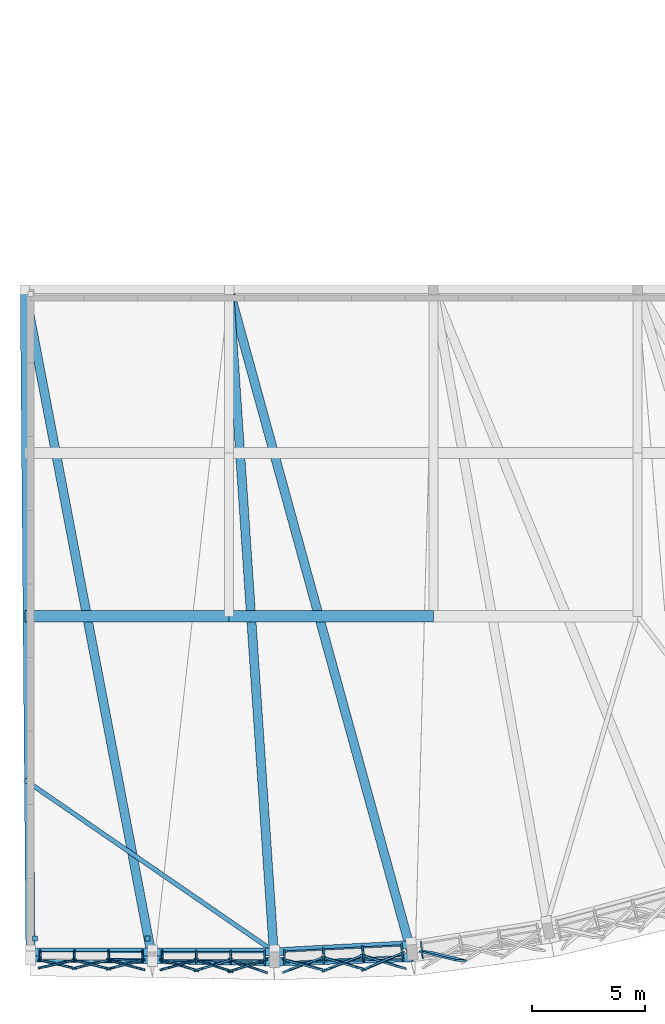
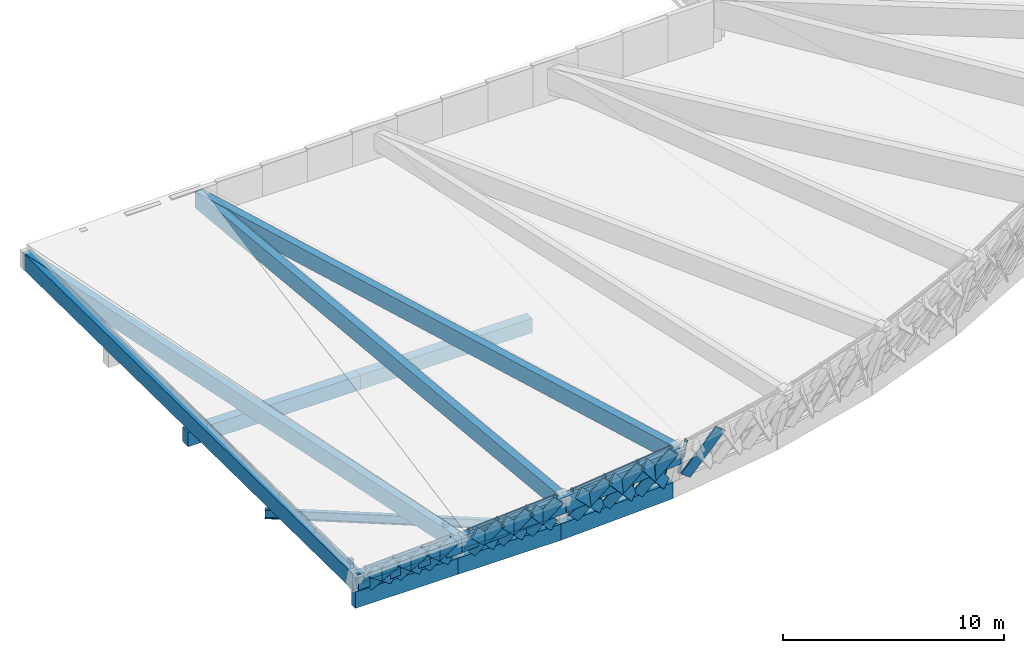
# One storey, part 2 of 11: 43 members, 13 beams, 4 elements without a shape of their own.
"""IFC4 building model written with IfcOpenShell, lengths in metres."""

from ifc_helpers import new_model, si_unit, direction, frame, origin, origin_2d, place, context, subcontext, project, spatial, rectangle, hollow_rectangle, i_section, extrude, material, material_profile, profile_set, type_object, element, aggregate, save


model = new_model("IFC4")

# Units and contexts
model_context = context("Model", 3, precision=1e-05, world=origin(), true_north=direction((0.0, 1.0)))
body_context = subcontext(model_context, "Body", "Model", "MODEL_VIEW")
ifc_project = project(units=[si_unit("LENGTHUNIT", "METRE"), si_unit("AREAUNIT", "SQUARE_METRE"), si_unit("VOLUMEUNIT", "CUBIC_METRE"), si_unit("PLANEANGLEUNIT", "RADIAN"), si_unit("MASSUNIT", "GRAM", prefix="KILO")], contexts=[model_context])

# Site, building, storey
site_placement = place(None, origin())
site = spatial("IfcSite", under=ifc_project, at=site_placement, CompositionType="ELEMENT")
building_placement = place(site_placement, origin())
building = spatial("IfcBuilding", under=site, at=building_placement, Name="Chiffa Square Polytechnic", CompositionType="ELEMENT")
storey_placement = place(building_placement, frame((0.0, 0.0, 30.60009765625)))
storey = spatial("IfcBuildingStorey", under=building, at=storey_placement, Name="ROOF", CompositionType="ELEMENT", Elevation=30.60009765625)

# Beams
ifc_material_1 = material(Name="Concrete C40/50", Category="concrete")
ifc_material_profile_1 = material_profile(ifc_material_1, rectangle(XDim=0.5, YDim=0.800048828125, at=origin_2d()), Name="RC 500x800")
ifc_profile_set_1 = profile_set([ifc_material_profile_1], Name="Concrete C40/50")
beam_type_1 = type_object("IfcBeamType", Name="BM-RC-500X800", PredefinedType="BEAM", material=ifc_profile_set_1)
for number, where, z_axis, x_axis, name in (
    (1, (112.199951171875, 14.39990234375, -1.380126953125), (1.0, 0.0, 0.0), (0.0, 1.0, 0.0), "Attic floor girder BM-V1-ROOF-X-1122-0144"),
    (2, (121.199951171875, 14.39990234375, -1.380126953125), (1.0, 0.0, 0.0), (0.0, 1.0, 0.0), "Attic floor girder BM-V1-ROOF-X-1212-0144"),
):
    element("IfcBeam", number, at=place(storey_placement, frame(where, z_axis=z_axis, x_axis=x_axis)), inside=storey, type_object=beam_type_1, Name=name, PredefinedType="BEAM", context=body_context, shape_type="SweptSolid", body=[
        extrude(rectangle(XDim=0.5, YDim=0.800048828125, at=origin_2d()), origin(), (0.0, 0.0, 1.0), 9.0),
    ])
ifc_material_2 = material(Name="Steel S355", Category="steel")
ifc_material_profile_2 = material_profile(ifc_material_2, i_section(OverallWidth=0.199951171875, OverallDepth=0.5, WebThickness=0.01025390625, FlangeThickness=0.01611328125, FilletRadius=0.02099609375, at=origin_2d()), Name="IPE 500")
ifc_profile_set_2 = profile_set([ifc_material_profile_2], Name="Steel S355")
beam_type_2 = type_object("IfcBeamType", Name="BM-STL-IPE500", PredefinedType="BEAM", material=ifc_profile_set_2)
beam_1_placement = place(storey_placement, frame((123.199951171875, -0.3798828125, -1.22998046875), z_axis=(-0.823435684583, 0.567409616904, 0.0), x_axis=(-0.567409616904, -0.823435684583, 0.0)))
element("IfcBeam", 3, at=beam_1_placement, inside=storey, type_object=beam_type_2, Name="Prow attic radial tie girder BM-V1-RAD-ROOF-03", PredefinedType="BEAM", context=body_context, shape_type="SweptSolid", body=[
    extrude(i_section(OverallWidth=0.199951171875, OverallDepth=0.5, WebThickness=0.01025390625, FlangeThickness=0.01611328125, FilletRadius=0.02099609375, at=origin_2d()), origin(), (0.0, 0.0, 1.0), 13.358642578125),
])

# Curtain wall, members
ifc_material_3 = material(Name="Aluminium EN AW-6060 T66 and glulam shading", Category="wood")
curtain_wall_type_1 = type_object("IfcCurtainWallType", Name="CW-PROW-LEAN-150", PredefinedType="USERDEFINED", material=ifc_material_3)
curtain_wall_1_placement = place(storey_placement, origin())
curtain_wall_1 = element("IfcCurtainWall", 4, at=curtain_wall_1_placement, inside=storey, type_object=curtain_wall_type_1, Name="Outward-leaning diamond-fin prow curtain wall CW-V1-ROOF-110", ObjectType="CURTAIN WALL", PredefinedType="USERDEFINED")
ifc_material_4 = material(Name="Aluminium EN AW-6060 T66", Category="aluminium")
ifc_material_profile_3 = material_profile(ifc_material_4, hollow_rectangle(XDim=0.06494140625, YDim=0.179931640625, WallThickness=0.00390625, at=origin_2d()), Name="ALU 65x180x4")
ifc_profile_set_3 = profile_set([ifc_material_profile_3], Name="Aluminium EN AW-6060 T66")
member_type_1 = type_object("IfcMemberType", Name="CWM-ALU-75X180", PredefinedType="MULLION", material=ifc_profile_set_3)
member_1_placement = place(storey_placement, frame((112.8798828125, -0.3798828125, -0.75), z_axis=(0.0, -0.27272719331, 0.962091408354), x_axis=(1.0, 0.0, 0.0)))
member_1 = element("IfcMember", 5, at=member_1_placement, type_object=member_type_1, Name="Leaning prow mullion CW-V1-ROOF-110-M00", PredefinedType="MULLION", context=body_context, shape_type="SweptSolid", body=[
    extrude(hollow_rectangle(XDim=0.06494140625, YDim=0.179931640625, WallThickness=0.00390625, at=origin_2d()), origin(), (0.0, 0.0, 1.0), 1.1484375),
])
member_2_placement = place(storey_placement, frame((114.385009765625, -0.3798828125, -0.75), z_axis=(0.0, -0.272630043715, 0.962118942368), x_axis=(1.0, 0.0, 0.0)))
member_2 = element("IfcMember", 6, at=member_2_placement, type_object=member_type_1, Name="Leaning prow mullion CW-V1-ROOF-110-M01", PredefinedType="MULLION", context=body_context, shape_type="SweptSolid", body=[
    extrude(hollow_rectangle(XDim=0.06494140625, YDim=0.179931640625, WallThickness=0.00390625, at=origin_2d()), origin(), (0.0, 0.0, 1.0), 1.23388671875),
])
member_3_placement = place(storey_placement, frame((115.889892578125, -0.3798828125, -0.75), z_axis=(0.0, -0.272716749903, 0.96209436872), x_axis=(1.0, 0.0, 0.0)))
member_3 = element("IfcMember", 7, at=member_3_placement, type_object=member_type_1, Name="Leaning prow mullion CW-V1-ROOF-110-M02", PredefinedType="MULLION", context=body_context, shape_type="SweptSolid", body=[
    extrude(hollow_rectangle(XDim=0.06494140625, YDim=0.179931640625, WallThickness=0.00390625, at=origin_2d()), origin(), (0.0, 0.0, 1.0), 1.319580078125),
])
member_4_placement = place(storey_placement, frame((117.39501953125, -0.3798828125, -0.75), z_axis=(0.0, -0.272632061323, 0.962118370648), x_axis=(1.0, 0.0, 0.0)))
member_4 = element("IfcMember", 8, at=member_4_placement, type_object=member_type_1, Name="Leaning prow mullion CW-V1-ROOF-110-M03", PredefinedType="MULLION", context=body_context, shape_type="SweptSolid", body=[
    extrude(hollow_rectangle(XDim=0.06494140625, YDim=0.179931640625, WallThickness=0.00390625, at=origin_2d()), origin(), (0.0, 0.0, 1.0), 1.405029296875),
])

curtain_wall_type_2 = type_object("IfcCurtainWallType", Name="CW-PROW-LEAN-300", PredefinedType="USERDEFINED", material=ifc_material_3)
curtain_wall_2_placement = place(storey_placement, origin())
curtain_wall_2 = element("IfcCurtainWall", 9, at=curtain_wall_2_placement, inside=storey, type_object=curtain_wall_type_2, Name="Outward-leaning diamond-fin prow curtain wall CW-V1-ROOF-111", ObjectType="CURTAIN WALL", PredefinedType="USERDEFINED")
member_5_placement = place(storey_placement, frame((118.2548828125, -0.3798828125, -0.75), z_axis=(0.0, -0.272471203624, 0.962163937796), x_axis=(1.0, 0.0, 0.0)))
member_5 = element("IfcMember", 10, at=member_5_placement, type_object=member_type_1, Name="Leaning prow mullion CW-V1-ROOF-111-M00", PredefinedType="MULLION", context=body_context, shape_type="SweptSolid", body=[
    extrude(hollow_rectangle(XDim=0.06494140625, YDim=0.179931640625, WallThickness=0.00390625, at=origin_2d()), origin(), (0.0, 0.0, 1.0), 1.405029296875),
])
member_6_placement = place(storey_placement, frame((119.760009765625, -0.3798828125, -0.75), z_axis=(0.0, -0.272455594433, 0.962168357962), x_axis=(1.0, 0.0, 0.0)))
member_6 = element("IfcMember", 11, at=member_6_placement, type_object=member_type_1, Name="Leaning prow mullion CW-V1-ROOF-111-M01", PredefinedType="MULLION", context=body_context, shape_type="SweptSolid", body=[
    extrude(hollow_rectangle(XDim=0.06494140625, YDim=0.179931640625, WallThickness=0.00390625, at=origin_2d()), origin(), (0.0, 0.0, 1.0), 1.53759765625),
])
member_7_placement = place(storey_placement, frame((121.264892578125, -0.3798828125, -0.75), z_axis=(0.0, -0.272577768602, 0.962133753729), x_axis=(1.0, 0.0, 0.0)))
member_7 = element("IfcMember", 12, at=member_7_placement, type_object=member_type_1, Name="Leaning prow mullion CW-V1-ROOF-111-M02", PredefinedType="MULLION", context=body_context, shape_type="SweptSolid", body=[
    extrude(hollow_rectangle(XDim=0.06494140625, YDim=0.179931640625, WallThickness=0.00390625, at=origin_2d()), origin(), (0.0, 0.0, 1.0), 1.67041015625),
])
member_8_placement = place(storey_placement, frame((122.77001953125, -0.3798828125, -0.75), z_axis=(0.0, -0.272431268619, 0.962175245929), x_axis=(1.0, 0.0, 0.0)))
member_8 = element("IfcMember", 13, at=member_8_placement, type_object=member_type_1, Name="Leaning prow mullion CW-V1-ROOF-111-M03", PredefinedType="MULLION", context=body_context, shape_type="SweptSolid", body=[
    extrude(hollow_rectangle(XDim=0.06494140625, YDim=0.179931640625, WallThickness=0.00390625, at=origin_2d()), origin(), (0.0, 0.0, 1.0), 1.802978515625),
])

curtain_wall_3_placement = place(storey_placement, origin())
curtain_wall_3 = element("IfcCurtainWall", 14, at=curtain_wall_3_placement, inside=storey, type_object=curtain_wall_type_1, Name="Outward-leaning diamond-fin prow curtain wall CW-V1-ROOF-112", ObjectType="CURTAIN WALL", PredefinedType="USERDEFINED")
member_9_placement = place(storey_placement, frame((123.62890625, -0.35791015625, -0.75), z_axis=(0.0, -0.272431268619, 0.962175245929), x_axis=(1.0, 0.0, 0.0)))
member_9 = element("IfcMember", 15, at=member_9_placement, type_object=member_type_1, Name="Leaning prow mullion CW-V1-ROOF-112-M00", PredefinedType="MULLION", context=body_context, shape_type="SweptSolid", body=[
    extrude(hollow_rectangle(XDim=0.06494140625, YDim=0.179931640625, WallThickness=0.00390625, at=origin_2d()), origin(), (0.0, 0.0, 1.0), 1.802978515625),
])
member_10_placement = place(storey_placement, frame((125.354248046875, -0.267333984375, -0.75), z_axis=(0.009706148556, -0.271896597371, 0.962277522869), x_axis=(0.999363436857, 0.03567521651, 0.0)))
member_10 = element("IfcMember", 16, at=member_10_placement, type_object=member_type_1, Name="Leaning prow mullion CW-V1-ROOF-112-M01", PredefinedType="MULLION", context=body_context, shape_type="SweptSolid", body=[
    extrude(hollow_rectangle(XDim=0.06494140625, YDim=0.179931640625, WallThickness=0.00390625, at=origin_2d()), origin(), (0.0, 0.0, 1.0), 1.9619140625),
])
member_11_placement = place(storey_placement, frame((127.07958984375, -0.1767578125, -0.75), z_axis=(0.019338050483, -0.271308243977, 0.962298226411), x_axis=(0.997469429473, 0.071096675499, 0.0)))
member_11 = element("IfcMember", 17, at=member_11_placement, type_object=member_type_1, Name="Leaning prow mullion CW-V1-ROOF-112-M02", PredefinedType="MULLION", context=body_context, shape_type="SweptSolid", body=[
    extrude(hollow_rectangle(XDim=0.06494140625, YDim=0.179931640625, WallThickness=0.00390625, at=origin_2d()), origin(), (0.0, 0.0, 1.0), 2.12109375),
])
member_12_placement = place(storey_placement, frame((128.804931640625, -0.0859375, -0.75), z_axis=(0.028910177206, -0.270899067895, 0.962173527316), x_axis=(0.994353672394, 0.106116795078, 0.0)))
member_12 = element("IfcMember", 18, at=member_12_placement, type_object=member_type_1, Name="Leaning prow mullion CW-V1-ROOF-112-M03", PredefinedType="MULLION", context=body_context, shape_type="SweptSolid", body=[
    extrude(hollow_rectangle(XDim=0.06494140625, YDim=0.179931640625, WallThickness=0.00390625, at=origin_2d()), origin(), (0.0, 0.0, 1.0), 2.280029296875),
])

# Curtain wall, member
curtain_wall_4_placement = place(storey_placement, origin())
curtain_wall_4 = element("IfcCurtainWall", 19, at=curtain_wall_4_placement, inside=storey, type_object=curtain_wall_type_2, Name="Outward-leaning diamond-fin prow curtain wall CW-V1-ROOF-113", ObjectType="CURTAIN WALL", PredefinedType="USERDEFINED")
member_13_placement = place(storey_placement, frame((129.658935546875, 0.0029296875, -0.75), z_axis=(0.028697869006, -0.270702286744, 0.96223526451), x_axis=(0.994427584366, 0.105421911634, 0.0)))
member_13 = element("IfcMember", 20, at=member_13_placement, type_object=member_type_1, Name="Leaning prow mullion CW-V1-ROOF-113-M00", PredefinedType="MULLION", context=body_context, shape_type="SweptSolid", body=[
    extrude(hollow_rectangle(XDim=0.06494140625, YDim=0.179931640625, WallThickness=0.00390625, at=origin_2d()), origin(), (0.0, 0.0, 1.0), 2.280029296875),
])

# Member
ifc_material_5 = material(Name="Glulam GL28h", Category="wood")
ifc_material_profile_4 = material_profile(ifc_material_5, rectangle(XDim=0.080078125, YDim=0.580078125, at=origin_2d()), Name="GL28h 80x580")
ifc_profile_set_4 = profile_set([ifc_material_profile_4], Name="Glulam GL28h")
member_type_2 = type_object("IfcMemberType", Name="CWM-GL-80X580", PredefinedType="MULLION", material=ifc_profile_set_4)
member_14_placement = place(storey_placement, frame((112.962890625, -0.76611328125, -0.710205078125), z_axis=(0.759602962461, -0.177540747106, 0.625685721859), x_axis=(0.227594388824, 0.973756023948, 0.0)))
member_14 = element("IfcMember", 21, at=member_14_placement, type_object=member_type_2, Name="Diamond glulam fin CW-V1-ROOF-110-DF01A", PredefinedType="MULLION", context=body_context, shape_type="SweptSolid", body=[
    extrude(rectangle(XDim=0.080078125, YDim=0.580078125, at=origin_2d()), origin(), (0.0, 0.0, 1.0), 1.762939453125),
])

member_15_placement = place(storey_placement, frame((114.302001953125, -0.76611328125, -0.710205078125), z_axis=(-0.781327409909, -0.170367836327, 0.60041841983), x_axis=(0.213043411195, -0.977042734452, 0.0)))
member_15 = element("IfcMember", 22, at=member_15_placement, type_object=member_type_2, Name="Diamond glulam fin CW-V1-ROOF-110-DF01B", PredefinedType="MULLION", context=body_context, shape_type="SweptSolid", body=[
    extrude(rectangle(XDim=0.080078125, YDim=0.580078125, at=origin_2d()), origin(), (0.0, 0.0, 1.0), 1.7138671875),
])

member_16_placement = place(storey_placement, frame((114.468017578125, -0.76611328125, -0.710205078125), z_axis=(0.735932060601, -0.184653996241, 0.651388443136), x_axis=(0.243367847157, 0.969934065269, 0.0)))
member_16 = element("IfcMember", 23, at=member_16_placement, type_object=member_type_2, Name="Diamond glulam fin CW-V1-ROOF-110-DF02A", PredefinedType="MULLION", context=body_context, shape_type="SweptSolid", body=[
    extrude(rectangle(XDim=0.080078125, YDim=0.580078125, at=origin_2d()), origin(), (0.0, 0.0, 1.0), 1.8193359375),
])

member_17_placement = place(storey_placement, frame((115.806884765625, -0.76611328125, -0.710205078125), z_axis=(-0.756962093443, -0.17806001104, 0.628731279291), x_axis=(0.228979971355, -0.97343113404, 0.0)))
member_17 = element("IfcMember", 24, at=member_17_placement, type_object=member_type_2, Name="Diamond glulam fin CW-V1-ROOF-110-DF02B", PredefinedType="MULLION", context=body_context, shape_type="SweptSolid", body=[
    extrude(rectangle(XDim=0.080078125, YDim=0.580078125, at=origin_2d()), origin(), (0.0, 0.0, 1.0), 1.768798828125),
])

member_18_placement = place(storey_placement, frame((115.972900390625, -0.76611328125, -0.710205078125), z_axis=(0.712985975843, -0.191082841292, 0.674639419257), x_axis=(0.258868119081, 0.96591267562, 0.0)))
member_18 = element("IfcMember", 25, at=member_18_placement, type_object=member_type_2, Name="Diamond glulam fin CW-V1-ROOF-110-DF03A", PredefinedType="MULLION", context=body_context, shape_type="SweptSolid", body=[
    extrude(rectangle(XDim=0.080078125, YDim=0.580078125, at=origin_2d()), origin(), (0.0, 0.0, 1.0), 1.878173828125),
])

member_19_placement = place(storey_placement, frame((117.31201171875, -0.76611328125, -0.710205078125), z_axis=(-0.733398557878, -0.185589279551, 0.653974903661), x_axis=(0.245320944997, -0.96944191881, 0.0)))
member_19 = element("IfcMember", 26, at=member_19_placement, type_object=member_type_2, Name="Diamond glulam fin CW-V1-ROOF-110-DF03B", PredefinedType="MULLION", context=body_context, shape_type="SweptSolid", body=[
    extrude(rectangle(XDim=0.080078125, YDim=0.580078125, at=origin_2d()), origin(), (0.0, 0.0, 1.0), 1.825927734375),
])

member_20_placement = place(storey_placement, frame((118.337890625, -0.76611328125, -0.710205078125), z_axis=(0.678982510182, -0.200166767359, 0.706339872945), x_axis=(0.282772202576, 0.95918709408, 0.0)))
member_20 = element("IfcMember", 27, at=member_20_placement, type_object=member_type_2, Name="Diamond glulam fin CW-V1-ROOF-111-DF01A", PredefinedType="MULLION", context=body_context, shape_type="SweptSolid", body=[
    extrude(rectangle(XDim=0.080078125, YDim=0.580078125, at=origin_2d()), origin(), (0.0, 0.0, 1.0), 1.97216796875),
])

member_21_placement = place(storey_placement, frame((119.677001953125, -0.76611328125, -0.710205078125), z_axis=(-0.709717002745, -0.191759452702, 0.677886486305), x_axis=(0.26083809562, -0.965382560374, 0.0)))
member_21 = element("IfcMember", 28, at=member_21_placement, type_object=member_type_2, Name="Diamond glulam fin CW-V1-ROOF-111-DF01B", PredefinedType="MULLION", context=body_context, shape_type="SweptSolid", body=[
    extrude(rectangle(XDim=0.080078125, YDim=0.580078125, at=origin_2d()), origin(), (0.0, 0.0, 1.0), 1.88671875),
])

member_22_placement = place(storey_placement, frame((119.843017578125, -0.76611328125, -0.710205078125), z_axis=(0.646508635252, -0.20807580985, 0.733982998373), x_axis=(0.306368760226, 0.951912907128, 0.0)))
member_22 = element("IfcMember", 29, at=member_22_placement, type_object=member_type_2, Name="Diamond glulam fin CW-V1-ROOF-111-DF02A", PredefinedType="MULLION", context=body_context, shape_type="SweptSolid", body=[
    extrude(rectangle(XDim=0.080078125, YDim=0.580078125, at=origin_2d()), origin(), (0.0, 0.0, 1.0), 2.07080078125),
])

member_23_placement = place(storey_placement, frame((121.181884765625, -0.76611328125, -0.710205078125), z_axis=(-0.675197911425, -0.201180413433, 0.709671911279), x_axis=(0.285551720013, -0.958363300214, 0.0)))
member_23 = element("IfcMember", 30, at=member_23_placement, type_object=member_type_2, Name="Diamond glulam fin CW-V1-ROOF-111-DF02B", PredefinedType="MULLION", context=body_context, shape_type="SweptSolid", body=[
    extrude(rectangle(XDim=0.080078125, YDim=0.580078125, at=origin_2d()), origin(), (0.0, 0.0, 1.0), 1.98291015625),
])

member_24_placement = place(storey_placement, frame((121.347900390625, -0.76611328125, -0.710205078125), z_axis=(0.615876416658, -0.2146865467, 0.758027655215), x_axis=(0.329161560456, 0.944273618777, 0.0)))
member_24 = element("IfcMember", 31, at=member_24_placement, type_object=member_type_2, Name="Diamond glulam fin CW-V1-ROOF-111-DF03A", PredefinedType="MULLION", context=body_context, shape_type="SweptSolid", body=[
    extrude(rectangle(XDim=0.080078125, YDim=0.580078125, at=origin_2d()), origin(), (0.0, 0.0, 1.0), 2.17431640625),
])

member_25_placement = place(storey_placement, frame((122.68701171875, -0.76611328125, -0.710205078125), z_axis=(-0.643091166876, -0.208814105416, 0.736770263017), x_axis=(0.308831200601, -0.951116864289, 0.0)))
member_25 = element("IfcMember", 32, at=member_25_placement, type_object=member_type_2, Name="Diamond glulam fin CW-V1-ROOF-111-DF03B", PredefinedType="MULLION", context=body_context, shape_type="SweptSolid", body=[
    extrude(rectangle(XDim=0.080078125, YDim=0.580078125, at=origin_2d()), origin(), (0.0, 0.0, 1.0), 2.082275390625),
])

member_26_placement = place(storey_placement, frame((123.743896484375, -0.739013671875, -0.710205078125), z_axis=(0.642660473859, -0.177219413352, 0.745372923355), x_axis=(0.227866191272, 0.973067166963, 0.034889646788)))
member_26 = element("IfcMember", 33, at=member_26_placement, type_object=member_type_2, Name="Diamond glulam fin CW-V1-ROOF-112-DF01A", PredefinedType="MULLION", context=body_context, shape_type="SweptSolid", body=[
    extrude(rectangle(XDim=0.080078125, YDim=0.580078125, at=origin_2d()), origin(), (0.0, 0.0, 1.0), 2.4150390625),
])

member_27_placement = place(storey_placement, frame((125.279052734375, -0.657958984375, -0.710205078125), z_axis=(-0.658964536958, -0.236946376918, 0.713878248371), x_axis=(0.373058412474, -0.927083734247, 0.036649291618)))
member_27 = element("IfcMember", 34, at=member_27_placement, type_object=member_type_2, Name="Diamond glulam fin CW-V1-ROOF-112-DF01B", PredefinedType="MULLION", context=body_context, shape_type="SweptSolid", body=[
    extrude(rectangle(XDim=0.080078125, YDim=0.580078125, at=origin_2d()), origin(), (0.0, 0.0, 1.0), 2.32958984375),
])

member_28_placement = place(storey_placement, frame((125.468994140625, -0.64794921875, -0.710205078125), z_axis=(0.616748814627, -0.184154097744, 0.765315730885), x_axis=(0.247335512658, 0.968344141913, 0.033686302885)))
member_28 = element("IfcMember", 35, at=member_28_placement, type_object=member_type_2, Name="Diamond glulam fin CW-V1-ROOF-112-DF02A", PredefinedType="MULLION", context=body_context, shape_type="SweptSolid", body=[
    extrude(rectangle(XDim=0.080078125, YDim=0.580078125, at=origin_2d()), origin(), (0.0, 0.0, 1.0), 2.552001953125),
])

member_29_placement = place(storey_placement, frame((127.0048828125, -0.56689453125, -0.710205078125), z_axis=(-0.621736677781, -0.24347100226, 0.744422846614), x_axis=(0.400414627079, -0.91566749536, 0.03494516223)))
member_29 = element("IfcMember", 36, at=member_29_placement, type_object=member_type_2, Name="Diamond glulam fin CW-V1-ROOF-112-DF02B", PredefinedType="MULLION", context=body_context, shape_type="SweptSolid", body=[
    extrude(rectangle(XDim=0.080078125, YDim=0.580078125, at=origin_2d()), origin(), (0.0, 0.0, 1.0), 2.439697265625),
])

member_30_placement = place(storey_placement, frame((127.195068359375, -0.556884765625, -0.710205078125), z_axis=(0.593374716713, -0.190206288107, 0.782130432556), x_axis=(0.265852618603, 0.963461928619, 0.032611306072)))
member_30 = element("IfcMember", 37, at=member_30_placement, type_object=member_type_2, Name="Diamond glulam fin CW-V1-ROOF-112-DF03A", PredefinedType="MULLION", context=body_context, shape_type="SweptSolid", body=[
    extrude(rectangle(XDim=0.080078125, YDim=0.580078125, at=origin_2d()), origin(), (0.0, 0.0, 1.0), 2.69287109375),
])

member_31_placement = place(storey_placement, frame((128.73095703125, -0.47705078125, -0.710205078125), z_axis=(-0.58561434806, -0.249146721656, 0.771350598907), x_axis=(0.428098187548, -0.90311825119, 0.033307149163)))
member_31 = element("IfcMember", 38, at=member_31_placement, type_object=member_type_2, Name="Diamond glulam fin CW-V1-ROOF-112-DF03B", PredefinedType="MULLION", context=body_context, shape_type="SweptSolid", body=[
    extrude(rectangle(XDim=0.080078125, YDim=0.580078125, at=origin_2d()), origin(), (0.0, 0.0, 1.0), 2.552734375),
])

member_32_placement = place(storey_placement, frame((129.81298828125, -0.364013671875, -0.710205078125), z_axis=(0.570846527187, -0.140673513688, 0.808916067924), x_axis=(0.113459071194, 0.989276636866, 0.091971598413)))
member_32 = element("IfcMember", 39, at=member_32_placement, type_object=member_type_2, Name="Diamond glulam fin CW-V1-ROOF-113-DF01A", PredefinedType="MULLION", context=body_context, shape_type="SweptSolid", body=[
    extrude(rectangle(XDim=0.080078125, YDim=0.580078125, at=origin_2d()), origin(), (0.0, 0.0, 1.0), 2.81494140625),
])

aggregate(curtain_wall_4, [member_13, member_32])

ifc_material_profile_5 = material_profile(ifc_material_4, hollow_rectangle(XDim=0.06494140625, YDim=0.139892578125, WallThickness=0.00390625, at=origin_2d()), Name="ALU 65x140x4")
ifc_profile_set_5 = profile_set([ifc_material_profile_5], Name="Aluminium EN AW-6060 T66")
member_type_3 = type_object("IfcMemberType", Name="CWT-ALU-75X140", PredefinedType="USERDEFINED", material=ifc_profile_set_5)
member_33_placement = place(storey_placement, frame((112.8798828125, -0.391357421875, -0.710205078125), z_axis=(1.0, 0.0, 0.0), x_axis=(0.0, 1.0, 0.0)))
member_33 = element("IfcMember", 40, at=member_33_placement, type_object=member_type_3, Name="Leaning prow transom CW-V1-ROOF-110-T01", ObjectType="TRANSOM", PredefinedType="USERDEFINED", context=body_context, shape_type="SweptSolid", body=[
    extrude(hollow_rectangle(XDim=0.06494140625, YDim=0.139892578125, WallThickness=0.00390625, at=origin_2d()), origin(), (0.0, 0.0, 1.0), 4.51513671875),
])

member_34_placement = place(storey_placement, frame((112.8798828125, -0.681640625, 0.31494140625), z_axis=(1.0, 0.0, 0.0), x_axis=(0.0, 1.0, 0.0)))
member_34 = element("IfcMember", 41, at=member_34_placement, type_object=member_type_3, Name="Leaning prow transom CW-V1-ROOF-110-T02", ObjectType="TRANSOM", PredefinedType="USERDEFINED", context=body_context, shape_type="SweptSolid", body=[
    extrude(hollow_rectangle(XDim=0.06494140625, YDim=0.139892578125, WallThickness=0.00390625, at=origin_2d()), origin(), (0.0, 0.0, 1.0), 4.51513671875),
])

member_35_placement = place(storey_placement, frame((112.94775390625, -0.678955078125, 0.304931640625), z_axis=(0.998286092095, -0.015915592973, 0.056316713596), x_axis=(0.015940891893, 0.99987293591, 0.0)))
member_35 = element("IfcMember", 42, at=member_35_placement, type_object=member_type_3, Name="Swept prow eave transom CW-V1-ROOF-110-TSLP", ObjectType="TRANSOM", PredefinedType="USERDEFINED", context=body_context, shape_type="SweptSolid", body=[
    extrude(hollow_rectangle(XDim=0.06494140625, YDim=0.139892578125, WallThickness=0.00390625, at=origin_2d()), origin(), (0.0, 0.0, 1.0), 4.38720703125),
])

aggregate(curtain_wall_1, [member_1, member_2, member_3, member_4, member_33, member_34, member_35, member_14, member_15, member_16, member_17, member_18, member_19])

member_36_placement = place(storey_placement, frame((118.2548828125, -0.391357421875, -0.710205078125), z_axis=(1.0, 0.0, 0.0), x_axis=(0.0, 1.0, 0.0)))
member_36 = element("IfcMember", 43, at=member_36_placement, type_object=member_type_3, Name="Leaning prow transom CW-V1-ROOF-111-T01", ObjectType="TRANSOM", PredefinedType="USERDEFINED", context=body_context, shape_type="SweptSolid", body=[
    extrude(hollow_rectangle(XDim=0.06494140625, YDim=0.139892578125, WallThickness=0.00390625, at=origin_2d()), origin(), (0.0, 0.0, 1.0), 4.51513671875),
])

member_37_placement = place(storey_placement, frame((118.2548828125, -0.75146484375, 0.56201171875), z_axis=(1.0, 0.0, 0.0), x_axis=(0.0, 1.0, 0.0)))
member_37 = element("IfcMember", 44, at=member_37_placement, type_object=member_type_3, Name="Leaning prow transom CW-V1-ROOF-111-T02", ObjectType="TRANSOM", PredefinedType="USERDEFINED", context=body_context, shape_type="SweptSolid", body=[
    extrude(hollow_rectangle(XDim=0.06494140625, YDim=0.139892578125, WallThickness=0.00390625, at=origin_2d()), origin(), (0.0, 0.0, 1.0), 4.51513671875),
])

member_38_placement = place(storey_placement, frame((118.32275390625, -0.74853515625, 0.552001953125), z_axis=(0.995897686078, -0.024704524795, 0.087048752538), x_axis=(0.024798659198, 0.999692465962, 0.0)))
member_38 = element("IfcMember", 45, at=member_38_placement, type_object=member_type_3, Name="Swept prow eave transom CW-V1-ROOF-111-TSLP", ObjectType="TRANSOM", PredefinedType="USERDEFINED", context=body_context, shape_type="SweptSolid", body=[
    extrude(hollow_rectangle(XDim=0.06494140625, YDim=0.139892578125, WallThickness=0.00390625, at=origin_2d()), origin(), (0.0, 0.0, 1.0), 4.397705078125),
])

aggregate(curtain_wall_2, [member_5, member_6, member_7, member_8, member_36, member_37, member_38, member_20, member_21, member_22, member_23, member_24, member_25])

member_39_placement = place(storey_placement, frame((123.62890625, -0.369384765625, -0.710205078125), z_axis=(0.998623027923, 0.052459966665, 0.0), x_axis=(-0.052459966665, 0.998623027923, 0.0)))
member_39 = element("IfcMember", 46, at=member_39_placement, type_object=member_type_3, Name="Leaning prow transom CW-V1-ROOF-112-T01", ObjectType="TRANSOM", PredefinedType="USERDEFINED", context=body_context, shape_type="SweptSolid", body=[
    extrude(hollow_rectangle(XDim=0.06494140625, YDim=0.139892578125, WallThickness=0.00390625, at=origin_2d()), origin(), (0.0, 0.0, 1.0), 5.184326171875),
])

member_40_placement = place(storey_placement, frame((123.62890625, -0.837646484375, 0.94482421875), z_axis=(0.99862233532, 0.052473149334, 0.0), x_axis=(-0.052473149334, 0.99862233532, 0.0)))
member_40 = element("IfcMember", 47, at=member_40_placement, type_object=member_type_3, Name="Leaning prow transom CW-V1-ROOF-112-T02", ObjectType="TRANSOM", PredefinedType="USERDEFINED", context=body_context, shape_type="SweptSolid", body=[
    extrude(hollow_rectangle(XDim=0.06494140625, YDim=0.139892578125, WallThickness=0.00390625, at=origin_2d()), origin(), (0.0, 0.0, 1.0), 5.234375),
])

member_41_placement = place(storey_placement, frame((123.70751953125, -0.830810546875, 0.934814453125), z_axis=(0.995588625616, 0.026872907526, 0.089895135496), x_axis=(-0.026982151889, 0.999635915461, 0.0)))
member_41 = element("IfcMember", 48, at=member_41_placement, type_object=member_type_3, Name="Swept prow eave transom CW-V1-ROOF-112-TSLP", ObjectType="TRANSOM", PredefinedType="USERDEFINED", context=body_context, shape_type="SweptSolid", body=[
    extrude(hollow_rectangle(XDim=0.06494140625, YDim=0.139892578125, WallThickness=0.00390625, at=origin_2d()), origin(), (0.0, 0.0, 1.0), 5.105712890625),
])

aggregate(curtain_wall_3, [member_9, member_10, member_11, member_12, member_39, member_40, member_41, member_26, member_27, member_28, member_29, member_30, member_31])

# Members
ifc_material_profile_6 = material_profile(ifc_material_5, rectangle(XDim=0.219970703125, YDim=0.219970703125, at=origin_2d()), Name="GL28h 220x220")
ifc_profile_set_6 = profile_set([ifc_material_profile_6], Name="Glulam GL28h")
member_type_4 = type_object("IfcMemberType", Name="MEM-WEB-GL220", PredefinedType="MEMBER", material=ifc_profile_set_6)
member_42_placement = place(storey_placement, frame((112.64990234375, 0.199951171875, -0.75), z_axis=(0.0, 0.0, 1.0), x_axis=(1.0, 0.0, 0.0)))
element("IfcMember", 49, at=member_42_placement, inside=storey, type_object=member_type_4, Name="Swept prow west corner bearing post C-V1-ROOF-SW01-2", PredefinedType="MEMBER", context=body_context, shape_type="SweptSolid", body=[
    extrude(rectangle(XDim=0.219970703125, YDim=0.219970703125, at=origin_2d()), origin(), (0.0, 0.0, 1.0), 1.10498046875),
])
member_43_placement = place(storey_placement, frame((117.60009765625, 0.199951171875, -0.75), z_axis=(0.0, 0.0, 1.0), x_axis=(1.0, 0.0, 0.0)))
element("IfcMember", 50, at=member_43_placement, inside=storey, type_object=member_type_4, Name="Swept prow west corner bearing post C-V1-ROOF-SW01-3", PredefinedType="MEMBER", context=body_context, shape_type="SweptSolid", body=[
    extrude(rectangle(XDim=0.219970703125, YDim=0.219970703125, at=origin_2d()), origin(), (0.0, 0.0, 1.0), 1.329833984375),
])

# Beams
ifc_material_6 = material(Name="Glulam GL32c", Category="wood")
ifc_material_profile_7 = material_profile(ifc_material_6, rectangle(XDim=0.360107421875, YDim=0.89990234375, at=origin_2d()), Name="GL32c 360x900")
ifc_profile_set_7 = profile_set([ifc_material_profile_7], Name="Glulam GL32c")
beam_type_3 = type_object("IfcBeamType", Name="RB-GL-360X900", PredefinedType="SPANDREL", material=ifc_profile_set_7)
beam_2_placement = place(storey_placement, frame((112.449951171875, -0.64208984375, -0.28515625), z_axis=(0.998861108576, -0.012975757497, 0.045914218835), x_axis=(0.012989456358, 0.999915633453, 0.0)))
element("IfcBeam", 51, at=beam_2_placement, inside=storey, type_object=beam_type_3, Name="Swept prow eave glulam girder RB-V1-PROW-ROOF-01", PredefinedType="SPANDREL", context=body_context, shape_type="SweptSolid", body=[
    extrude(rectangle(XDim=0.360107421875, YDim=0.89990234375, at=origin_2d()), origin(), (0.0, 0.0, 1.0), 5.381103515625),
])
beam_3_placement = place(storey_placement, frame((117.824951171875, -0.7119140625, -0.0380859375), z_axis=(0.997269337193, -0.020066783992, 0.071071747368), x_axis=(0.020117657404, 0.999797619451, 0.0)))
element("IfcBeam", 52, at=beam_3_placement, inside=storey, type_object=beam_type_3, Name="Swept prow eave glulam girder RB-V1-PROW-ROOF-02", PredefinedType="SPANDREL", context=body_context, shape_type="SweptSolid", body=[
    extrude(rectangle(XDim=0.360107421875, YDim=0.89990234375, at=origin_2d()), origin(), (0.0, 0.0, 1.0), 5.3896484375),
])
beam_4_placement = place(storey_placement, frame((123.199951171875, -0.820068359375, 0.344970703125), z_axis=(0.996699292079, 0.030906023479, 0.075068894239), x_axis=(-0.030993476231, 0.999519586817, 0.0)))
element("IfcBeam", 53, at=beam_4_placement, inside=storey, type_object=beam_type_3, Name="Swept prow eave glulam girder RB-V1-PROW-ROOF-03", PredefinedType="SPANDREL", context=body_context, shape_type="SweptSolid", body=[
    extrude(rectangle(XDim=0.360107421875, YDim=0.89990234375, at=origin_2d()), origin(), (0.0, 0.0, 1.0), 6.1142578125),
])
for number, where, z_axis, x_axis, name in (
    (54, (112.449951171875, -0.3798828125, -1.43017578125), (1.0, 0.0, 0.0), (0.0, 1.0, 0.0), "Prow attic perimeter beam RB-V1-ATTIC-01"),
    (55, (117.824951171875, -0.3798828125, -1.43017578125), (1.0, 0.0, 0.0), (0.0, 1.0, 0.0), "Prow attic perimeter beam RB-V1-ATTIC-02"),
):
    element("IfcBeam", number, at=place(storey_placement, frame(where, z_axis=z_axis, x_axis=x_axis)), inside=storey, type_object=beam_type_3, Name=name, PredefinedType="SPANDREL", context=body_context, shape_type="SweptSolid", body=[
        extrude(rectangle(XDim=0.360107421875, YDim=0.89990234375, at=origin_2d()), origin(), (0.0, 0.0, 1.0), 5.375),
    ])
beam_5_placement = place(storey_placement, frame((123.199951171875, -0.3798828125, -1.43017578125), z_axis=(0.998632190651, 0.052285254085, 0.0), x_axis=(-0.052285254085, 0.998632190651, 0.0)))
element("IfcBeam", 56, at=beam_5_placement, inside=storey, type_object=beam_type_3, Name="Prow attic perimeter beam RB-V1-ATTIC-03", PredefinedType="SPANDREL", context=body_context, shape_type="SweptSolid", body=[
    extrude(rectangle(XDim=0.360107421875, YDim=0.89990234375, at=origin_2d()), origin(), (0.0, 0.0, 1.0), 6.042236328125),
])
ifc_material_profile_8 = material_profile(ifc_material_6, rectangle(XDim=0.39990234375, YDim=0.89990234375, at=origin_2d()), Name="GL32c 400x900")
ifc_profile_set_8 = profile_set([ifc_material_profile_8], Name="Glulam GL32c")
beam_type_4 = type_object("IfcBeamType", Name="RB-GL-400X900", PredefinedType="SPANDREL", material=ifc_profile_set_8)
beam_6_placement = place(storey_placement, frame((112.199951171875, 28.800048828125, -0.28515625), z_axis=(0.008490924883, -0.999963951448, 0.0), x_axis=(0.999963951448, 0.008490924883, 0.0)))
element("IfcBeam", 57, at=beam_6_placement, inside=storey, type_object=beam_type_4, Name="Swept prow radial glulam girder RB-V1-SWEPT-01", PredefinedType="SPANDREL", context=body_context, shape_type="SweptSolid", body=[
    extrude(rectangle(XDim=0.39990234375, YDim=0.89990234375, at=origin_2d()), origin(), (0.0, 0.0, 1.0), 29.443115234375),
])
beam_7_placement = place(storey_placement, frame((112.199951171875, 28.800048828125, -0.28515625), z_axis=(0.187223775933, -0.982282867123, 0.008223544325), x_axis=(0.982316083073, 0.187230106915, 0.0)))
element("IfcBeam", 58, at=beam_7_placement, inside=storey, type_object=beam_type_4, Name="Swept prow radial glulam girder RB-V1-SWEPT-02", PredefinedType="SPANDREL", context=body_context, shape_type="SweptSolid", body=[
    extrude(rectangle(XDim=0.39990234375, YDim=0.89990234375, at=origin_2d()), origin(), (0.0, 0.0, 1.0), 30.044189453125),
])
beam_8_placement = place(storey_placement, frame((121.199951171875, 28.800048828125, -0.070068359375), z_axis=(0.067361697683, -0.997630689653, 0.013978867927), x_axis=(0.997728176823, 0.06736828018, 0.0)))
element("IfcBeam", 59, at=beam_8_placement, inside=storey, type_object=beam_type_4, Name="Swept prow radial glulam girder RB-V1-SWEPT-03", PredefinedType="SPANDREL", context=body_context, shape_type="SweptSolid", body=[
    extrude(rectangle(XDim=0.39990234375, YDim=0.89990234375, at=origin_2d()), origin(), (0.0, 0.0, 1.0), 29.6904296875),
])
beam_9_placement = place(storey_placement, frame((121.199951171875, 28.800048828125, -0.070068359375), z_axis=(0.26506085492, -0.963806776478, 0.02862238291), x_axis=(0.964201814137, 0.265169496011, 0.0)))
element("IfcBeam", 60, at=beam_9_placement, inside=storey, type_object=beam_type_4, Name="Swept prow radial glulam girder RB-V1-SWEPT-04", PredefinedType="SPANDREL", context=body_context, shape_type="SweptSolid", body=[
    extrude(rectangle(XDim=0.39990234375, YDim=0.89990234375, at=origin_2d()), origin(), (0.0, 0.0, 1.0), 30.536376953125),
])

save(model, "model.ifc")
